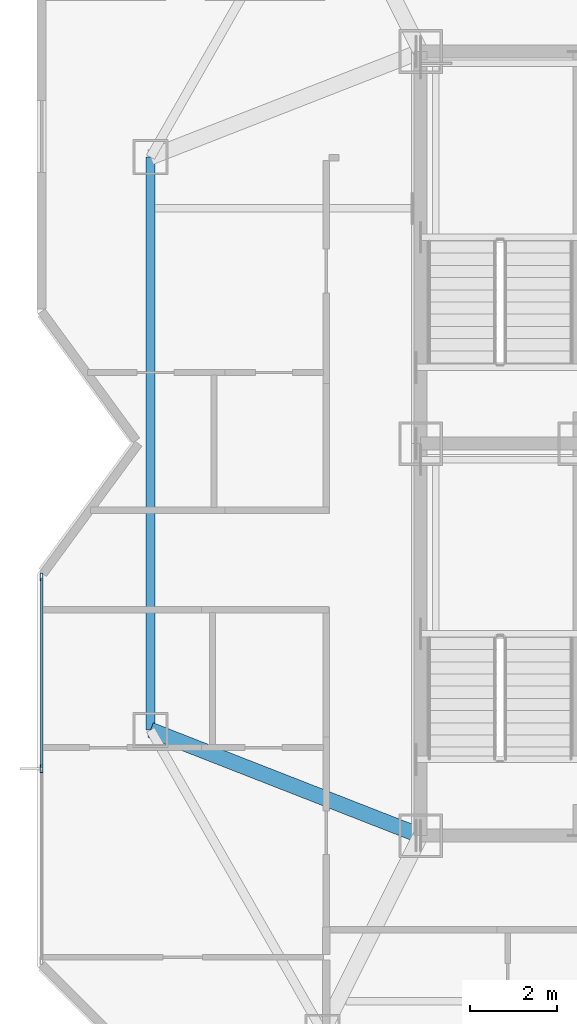
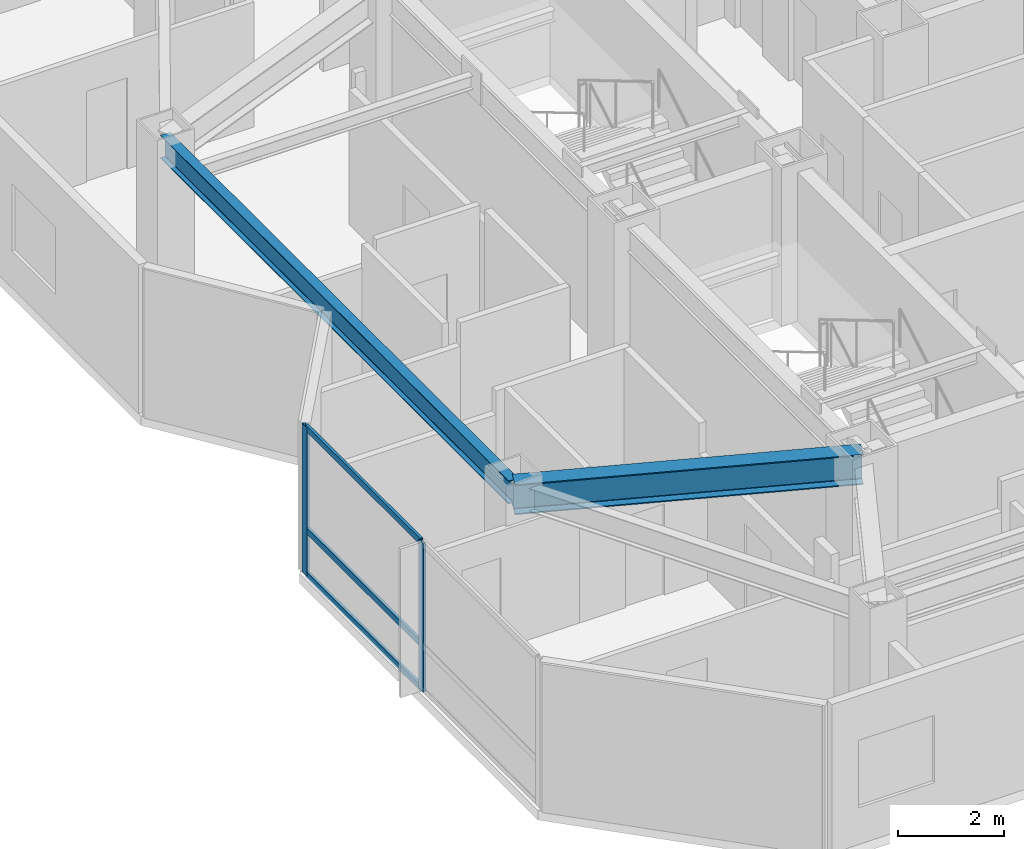
# One storey, part 4 of 14: 5 members, 2 beams, 1 element without a shape of its own.
"""IFC4 building model written with IfcOpenShell, lengths in metres."""

from ifc_helpers import new_model, si_unit, direction, frame, origin, origin_2d, place, context, subcontext, project, spatial, hollow_rectangle, i_section, extrude, material, material_profile, profile_set, type_object, element, aggregate, save


model = new_model("IFC4")

# Units and contexts
model_context = context("Model", 3, precision=1e-05, world=origin(), true_north=direction((0.0, 1.0)))
body_context = subcontext(model_context, "Body", "Model", "MODEL_VIEW")
ifc_project = project(units=[si_unit("LENGTHUNIT", "METRE"), si_unit("AREAUNIT", "SQUARE_METRE"), si_unit("VOLUMEUNIT", "CUBIC_METRE"), si_unit("PLANEANGLEUNIT", "RADIAN"), si_unit("MASSUNIT", "GRAM", prefix="KILO")], contexts=[model_context])

# Site, building, storey
site_placement = place(None, origin())
site = spatial("IfcSite", under=ifc_project, at=site_placement, CompositionType="ELEMENT")
building_placement = place(site_placement, origin())
building = spatial("IfcBuilding", under=site, at=building_placement, Name="Khamvora Tower", CompositionType="ELEMENT")
storey_placement = place(building_placement, frame((0.0, 0.0, 242.75)))
storey = spatial("IfcBuildingStorey", under=building, at=storey_placement, Name="L62", CompositionType="ELEMENT", Elevation=242.75)

# Beams
ifc_material_1 = material(Name="Steel S355", Category="steel")
ifc_material_profile_1 = material_profile(ifc_material_1, i_section(OverallWidth=0.35498046875, OverallDepth=0.695068359375, WebThickness=0.014892578125, FlangeThickness=0.02490234375, FilletRadius=0.01611328125, at=origin_2d()), Name="W690x217")
ifc_profile_set_1 = profile_set([ifc_material_profile_1], Name="Steel S355")
beam_type_1 = type_object("IfcBeamType", Name="BM-PG-W690x217", PredefinedType="BEAM", material=ifc_profile_set_1)
beam_1_placement = place(storey_placement, frame((29.0, 19.0, 3.0830078125), z_axis=(-0.931294712743, 0.36426660294, 0.0), x_axis=(-0.36426660294, -0.931294712743, 0.0)))
element("IfcBeam", 1, at=beam_1_placement, inside=storey, type_object=beam_type_1, Name="L62 primary floor girder W1", PredefinedType="BEAM", context=body_context, shape_type="SweptSolid", body=[
    extrude(i_section(OverallWidth=0.35498046875, OverallDepth=0.695068359375, WebThickness=0.014892578125, FlangeThickness=0.02490234375, FilletRadius=0.01611328125, at=origin_2d()), origin(), (0.0, 0.0, 1.0), 6.6572265625),
])
ifc_material_profile_2 = material_profile(ifc_material_1, i_section(OverallWidth=0.208984375, OverallDepth=0.532958984375, WebThickness=0.010009765625, FlangeThickness=0.01611328125, FilletRadius=0.013916015625, at=origin_2d()), Name="W530x92")
ifc_profile_set_2 = profile_set([ifc_material_profile_2], Name="Steel S355")
beam_type_2 = type_object("IfcBeamType", Name="BM-SP-W530x92", PredefinedType="SPANDREL", material=ifc_profile_set_2)
beam_2_placement = place(storey_placement, frame((22.800048828125, 34.574951171875, 3.1630859375), z_axis=(0.0, -1.0, 0.0), x_axis=(1.0, 0.0, 0.0)))
element("IfcBeam", 2, at=beam_2_placement, inside=storey, type_object=beam_type_2, Name="L62 perimeter spandrel beam W2-W1", PredefinedType="SPANDREL", context=body_context, shape_type="SweptSolid", body=[
    extrude(i_section(OverallWidth=0.208984375, OverallDepth=0.532958984375, WebThickness=0.010009765625, FlangeThickness=0.01611328125, FilletRadius=0.013916015625, at=origin_2d()), origin(), (0.0, 0.0, 1.0), 13.14990234375),
])

# Curtain wall, members
ifc_material_2 = material(Name="Anodised Aluminium 6063-T6", Category="aluminium")
curtain_wall_type = type_object("IfcCurtainWallType", Name="CW-SYS-05", PredefinedType="NOTDEFINED", material=ifc_material_2)
curtain_wall_placement = place(storey_placement, origin())
curtain_wall = element("IfcCurtainWall", 3, at=curtain_wall_placement, inside=storey, type_object=curtain_wall_type, Name="L62 stick curtain wall 02.1", PredefinedType="NOTDEFINED")
ifc_material_profile_3 = material_profile(ifc_material_2, hollow_rectangle(XDim=0.06005859375, YDim=0.175048828125, WallThickness=0.0048828125, at=origin_2d()), Name="MUL60x175x5")
ifc_profile_set_3 = profile_set([ifc_material_profile_3], Name="Anodised Aluminium 6063-T6")
member_type_1 = type_object("IfcMemberType", Name="CW-SYS-05-MUL", PredefinedType="MULLION", material=ifc_profile_set_3)
member_1_placement = place(storey_placement, frame((20.300048828125, 20.535400390625, 0.0), z_axis=(0.0, 0.0, 1.0), x_axis=(-1.0, 0.0, 0.0)))
member_1 = element("IfcMember", 4, at=member_1_placement, type_object=member_type_1, Name="CW-05 mullion 2", PredefinedType="MULLION", context=body_context, shape_type="SweptSolid", body=[
    extrude(hollow_rectangle(XDim=0.06005859375, YDim=0.175048828125, WallThickness=0.0048828125, at=origin_2d()), origin(), (0.0, 0.0, 1.0), 3.429931640625),
])
member_2_placement = place(storey_placement, frame((20.300048828125, 24.93701171875, 0.0), z_axis=(0.0, 0.0, 1.0), x_axis=(-1.0, 0.0, 0.0)))
member_2 = element("IfcMember", 5, at=member_2_placement, type_object=member_type_1, Name="CW-05 mullion 3", PredefinedType="MULLION", context=body_context, shape_type="SweptSolid", body=[
    extrude(hollow_rectangle(XDim=0.06005859375, YDim=0.175048828125, WallThickness=0.0048828125, at=origin_2d()), origin(), (0.0, 0.0, 1.0), 3.429931640625),
])
ifc_material_profile_4 = material_profile(ifc_material_2, hollow_rectangle(XDim=0.06005859375, YDim=0.14501953125, WallThickness=0.0048828125, at=origin_2d()), Name="TRN60x145x5")
ifc_profile_set_4 = profile_set([ifc_material_profile_4], Name="Anodised Aluminium 6063-T6")
member_type_2 = type_object("IfcMemberType", Name="CW-SYS-05-TRN", PredefinedType="USERDEFINED", material=ifc_profile_set_4)
member_3_placement = place(storey_placement, frame((20.300048828125, 20.5654296875, 0.030029296875), z_axis=(0.0, 1.0, 0.0), x_axis=(-1.0, 0.0, 0.0)))
member_3 = element("IfcMember", 6, at=member_3_placement, type_object=member_type_2, Name="CW-05 transom 2.1", ObjectType="TRANSOM", PredefinedType="USERDEFINED", context=body_context, shape_type="SweptSolid", body=[
    extrude(hollow_rectangle(XDim=0.06005859375, YDim=0.14501953125, WallThickness=0.0048828125, at=origin_2d()), origin(), (0.0, 0.0, 1.0), 4.341552734375),
])
member_4_placement = place(storey_placement, frame((20.300048828125, 20.5654296875, 1.050048828125), z_axis=(0.0, 1.0, 0.0), x_axis=(-1.0, 0.0, 0.0)))
member_4 = element("IfcMember", 7, at=member_4_placement, type_object=member_type_2, Name="CW-05 transom 2.2", ObjectType="TRANSOM", PredefinedType="USERDEFINED", context=body_context, shape_type="SweptSolid", body=[
    extrude(hollow_rectangle(XDim=0.06005859375, YDim=0.14501953125, WallThickness=0.0048828125, at=origin_2d()), origin(), (0.0, 0.0, 1.0), 4.341552734375),
])
member_5_placement = place(storey_placement, frame((20.300048828125, 20.5654296875, 3.39990234375), z_axis=(0.0, 1.0, 0.0), x_axis=(-1.0, 0.0, 0.0)))
member_5 = element("IfcMember", 8, at=member_5_placement, type_object=member_type_2, Name="CW-05 transom 2.3", ObjectType="TRANSOM", PredefinedType="USERDEFINED", context=body_context, shape_type="SweptSolid", body=[
    extrude(hollow_rectangle(XDim=0.06005859375, YDim=0.14501953125, WallThickness=0.0048828125, at=origin_2d()), origin(), (0.0, 0.0, 1.0), 4.341552734375),
])
aggregate(curtain_wall, [member_1, member_2, member_3, member_4, member_5])

save(model, "model.ifc")
